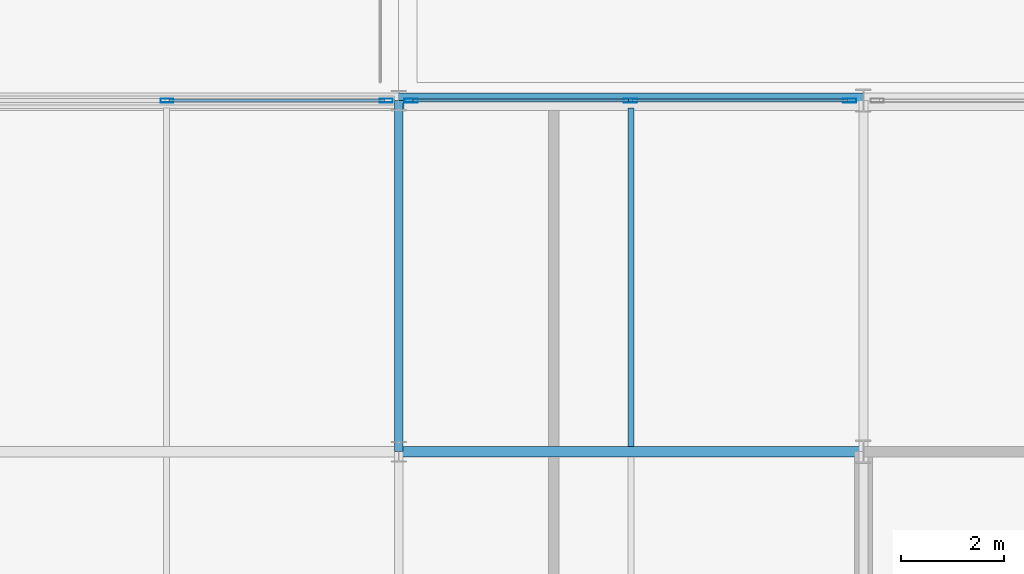
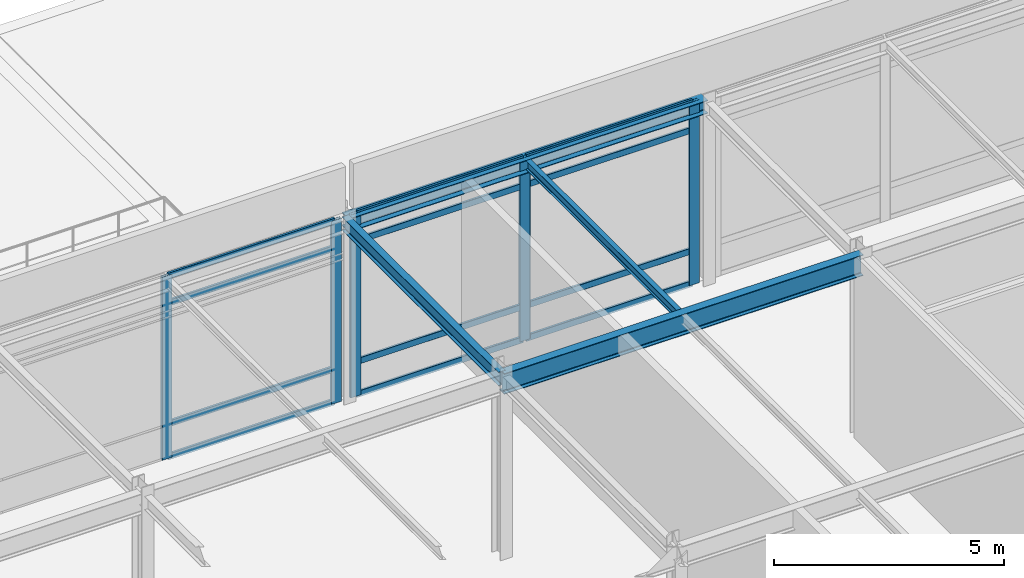
# One storey, part 71 of 113: 17 members, 4 beams, 2 elements without a shape of their own.
"""IFC4 building model written with IfcOpenShell, lengths in metres."""

from ifc_helpers import new_model, si_unit, direction, frame, origin, origin_2d, place, context, subcontext, project, spatial, hollow_rectangle, i_section, extrude, material, layer, layer_set, material_profile, profile_set, type_object, element, aggregate, save


model = new_model("IFC4")

# Units and contexts
model_context = context("Model", 3, precision=1e-05, world=origin(), true_north=direction((0.0, 1.0)))
body_context = subcontext(model_context, "Body", "Model", "MODEL_VIEW")
ifc_project = project(units=[si_unit("LENGTHUNIT", "METRE"), si_unit("AREAUNIT", "SQUARE_METRE"), si_unit("VOLUMEUNIT", "CUBIC_METRE"), si_unit("PLANEANGLEUNIT", "RADIAN"), si_unit("MASSUNIT", "GRAM", prefix="KILO")], contexts=[model_context])

# Site, building, storey
site_placement = place(None, origin())
site = spatial("IfcSite", under=ifc_project, at=site_placement, CompositionType="ELEMENT")
building_placement = place(site_placement, origin())
building = spatial("IfcBuilding", under=site, at=building_placement, Name="Shalkamar Park Central Library", CompositionType="ELEMENT")
storey_placement = place(building_placement, frame((0.0, 0.0, 5.39990234375)))
storey = spatial("IfcBuildingStorey", under=building, at=storey_placement, Name="L02", CompositionType="ELEMENT", Elevation=5.39990234375)

# Beam
ifc_material_1 = material(Name="Steel S355", Category="steel")
ifc_material_profile_1 = material_profile(ifc_material_1, i_section(OverallWidth=0.1201171875, OverallDepth=0.239990234375, WebThickness=0.006103515625, FlangeThickness=0.009765625, FilletRadius=0.014892578125, at=origin_2d()), Name="IPE 240")
ifc_profile_set_1 = profile_set([ifc_material_profile_1], Name="Steel S355")
beam_type_1 = type_object("IfcBeamType", Name="Composite Floor Joist IPE240", PredefinedType="JOIST", material=ifc_profile_set_1)
beam_1_placement = place(storey_placement, frame((259.5, 331.302978515625, 4.72998046875), z_axis=(0.0, 1.0, 0.0), x_axis=(-1.0, 0.0, 0.0)))
element("IfcBeam", 1, at=beam_1_placement, inside=storey, type_object=beam_type_1, Name="Composite Joist 18/N-1 (L02)", PredefinedType="JOIST", context=body_context, shape_type="SweptSolid", body=[
    extrude(i_section(OverallWidth=0.1201171875, OverallDepth=0.239990234375, WebThickness=0.006103515625, FlangeThickness=0.009765625, FilletRadius=0.014892578125, at=origin_2d()), origin(), (0.0, 0.0, 1.0), 6.549072265625),
])

# Curtain wall, members
ifc_material_2 = material(Name="Thermally broken aluminium and triple low-e curtain wall", Category="aluminium")
ifc_layer_1 = layer(ifc_material_2, 0.25)
ifc_layer_set_1 = layer_set([ifc_layer_1], Name="UnitisedCurtainWall_33")
curtain_wall_type_1 = type_object("IfcCurtainWallType", Name="Unitised Curtain Wall 33", PredefinedType="USERDEFINED", material=ifc_layer_set_1)
curtain_wall_1_placement = place(storey_placement, origin())
curtain_wall_1 = element("IfcCurtainWall", 2, at=curtain_wall_1_placement, inside=storey, type_object=curtain_wall_type_1, Name="Unitised Curtain Wall CW-L02-037", ObjectType="UNITISED CURTAIN WALL", PredefinedType="USERDEFINED")
ifc_material_3 = material(Name="Aluminium 6060-T66", Category="aluminium")
ifc_material_profile_2 = material_profile(ifc_material_3, hollow_rectangle(XDim=0.074951171875, YDim=0.25, WallThickness=0.00390625, InnerFilletRadius=0.00390625, OuterFilletRadius=0.006103515625, at=origin_2d()), Name="ALU 75x250x4")
ifc_profile_set_2 = profile_set([ifc_material_profile_2], Name="Aluminium 6060-T66")
member_type_1 = type_object("IfcMemberType", Name="Curtain Wall Mullion ALU75x250", PredefinedType="MULLION", material=ifc_profile_set_2)
member_1_placement = place(storey_placement, frame((250.512451171875, 338.0, 0.0), z_axis=(0.0, 0.0, 1.0), x_axis=(0.0, 1.0, 0.0)))
member_1 = element("IfcMember", 3, at=member_1_placement, type_object=member_type_1, Name="CW-33 mullion 2", PredefinedType="MULLION", context=body_context, shape_type="SweptSolid", body=[
    extrude(hollow_rectangle(XDim=0.074951171875, YDim=0.25, WallThickness=0.00390625, InnerFilletRadius=0.00390625, OuterFilletRadius=0.006103515625, at=origin_2d()), origin(), (0.0, 0.0, 1.0), 4.85009765625),
])
member_2_placement = place(storey_placement, frame((254.758544921875, 338.0, 0.0), z_axis=(0.0, 0.0, 1.0), x_axis=(0.0, 1.0, 0.0)))
member_2 = element("IfcMember", 4, at=member_2_placement, type_object=member_type_1, Name="CW-33 mullion 3", PredefinedType="MULLION", context=body_context, shape_type="SweptSolid", body=[
    extrude(hollow_rectangle(XDim=0.074951171875, YDim=0.25, WallThickness=0.00390625, InnerFilletRadius=0.00390625, OuterFilletRadius=0.006103515625, at=origin_2d()), origin(), (0.0, 0.0, 1.0), 4.85009765625),
])

ifc_layer_2 = layer(ifc_material_2, 0.260009765625)
ifc_layer_set_2 = layer_set([ifc_layer_2], Name="UnitisedCurtainWall_34")
curtain_wall_type_2 = type_object("IfcCurtainWallType", Name="Unitised Curtain Wall 34", PredefinedType="USERDEFINED", material=ifc_layer_set_2)
curtain_wall_2_placement = place(storey_placement, origin())
curtain_wall_2 = element("IfcCurtainWall", 5, at=curtain_wall_2_placement, inside=storey, type_object=curtain_wall_type_2, Name="Unitised Curtain Wall CW-L02-038", ObjectType="UNITISED CURTAIN WALL", PredefinedType="USERDEFINED")
ifc_material_profile_3 = material_profile(ifc_material_3, hollow_rectangle(XDim=0.074951171875, YDim=0.260009765625, WallThickness=0.00439453125, InnerFilletRadius=0.00439453125, OuterFilletRadius=0.0068359375, at=origin_2d()), Name="ALU 75x260x4.5")
ifc_profile_set_3 = profile_set([ifc_material_profile_3], Name="Aluminium 6060-T66")
member_type_2 = type_object("IfcMemberType", Name="Curtain Wall Mullion ALU75x260", PredefinedType="MULLION", material=ifc_profile_set_3)
member_3_placement = place(storey_placement, frame((255.241455078125, 338.0, 0.0), z_axis=(0.0, 0.0, 1.0), x_axis=(0.0, 1.0, 0.0)))
member_3 = element("IfcMember", 6, at=member_3_placement, type_object=member_type_2, Name="CW-34 mullion 1", PredefinedType="MULLION", context=body_context, shape_type="SweptSolid", body=[
    extrude(hollow_rectangle(XDim=0.074951171875, YDim=0.260009765625, WallThickness=0.00439453125, InnerFilletRadius=0.00439453125, OuterFilletRadius=0.0068359375, at=origin_2d()), origin(), (0.0, 0.0, 1.0), 4.85009765625),
])
member_4_placement = place(storey_placement, frame((259.487548828125, 338.0, 0.0), z_axis=(0.0, 0.0, 1.0), x_axis=(0.0, 1.0, 0.0)))
member_4 = element("IfcMember", 7, at=member_4_placement, type_object=member_type_2, Name="CW-34 mullion 2", PredefinedType="MULLION", context=body_context, shape_type="SweptSolid", body=[
    extrude(hollow_rectangle(XDim=0.074951171875, YDim=0.260009765625, WallThickness=0.00439453125, InnerFilletRadius=0.00439453125, OuterFilletRadius=0.0068359375, at=origin_2d()), origin(), (0.0, 0.0, 1.0), 4.85009765625),
])
member_5_placement = place(storey_placement, frame((263.7333984375, 338.0, 0.0), z_axis=(0.0, 0.0, 1.0), x_axis=(0.0, 1.0, 0.0)))
member_5 = element("IfcMember", 8, at=member_5_placement, type_object=member_type_2, Name="CW-34 mullion 3", PredefinedType="MULLION", context=body_context, shape_type="SweptSolid", body=[
    extrude(hollow_rectangle(XDim=0.074951171875, YDim=0.260009765625, WallThickness=0.00439453125, InnerFilletRadius=0.00439453125, OuterFilletRadius=0.0068359375, at=origin_2d()), origin(), (0.0, 0.0, 1.0), 4.85009765625),
])

# Member
ifc_material_profile_4 = material_profile(ifc_material_3, hollow_rectangle(XDim=0.06005859375, YDim=0.159912109375, WallThickness=0.00390625, InnerFilletRadius=0.00390625, OuterFilletRadius=0.006103515625, at=origin_2d()), Name="ALU 60x160x4")
ifc_profile_set_4 = profile_set([ifc_material_profile_4], Name="Aluminium 6060-T66")
member_type_3 = type_object("IfcMemberType", Name="Curtain Wall Transom ALU60x160", PredefinedType="USERDEFINED", material=ifc_profile_set_4)
member_6_placement = place(storey_placement, frame((250.550048828125, 338.0, 0.030029296875), z_axis=(1.0, 0.0, 0.0), x_axis=(0.0, 1.0, 0.0)))
member_6 = element("IfcMember", 9, at=member_6_placement, type_object=member_type_3, Name="CW-33 transom 2.1", ObjectType="TRANSOM", PredefinedType="USERDEFINED", context=body_context, shape_type="SweptSolid", body=[
    extrude(hollow_rectangle(XDim=0.06005859375, YDim=0.159912109375, WallThickness=0.00390625, InnerFilletRadius=0.00390625, OuterFilletRadius=0.006103515625, at=origin_2d()), origin(), (0.0, 0.0, 1.0), 4.1708984375),
])

member_7_placement = place(storey_placement, frame((250.550048828125, 338.0, 0.900146484375), z_axis=(1.0, 0.0, 0.0), x_axis=(0.0, 1.0, 0.0)))
member_7 = element("IfcMember", 10, at=member_7_placement, type_object=member_type_3, Name="CW-33 transom 2.2", ObjectType="TRANSOM", PredefinedType="USERDEFINED", context=body_context, shape_type="SweptSolid", body=[
    extrude(hollow_rectangle(XDim=0.06005859375, YDim=0.159912109375, WallThickness=0.00390625, InnerFilletRadius=0.00390625, OuterFilletRadius=0.006103515625, at=origin_2d()), origin(), (0.0, 0.0, 1.0), 4.1708984375),
])

member_8_placement = place(storey_placement, frame((250.550048828125, 338.0, 4.10009765625), z_axis=(1.0, 0.0, 0.0), x_axis=(0.0, 1.0, 0.0)))
member_8 = element("IfcMember", 11, at=member_8_placement, type_object=member_type_3, Name="CW-33 transom 2.3", ObjectType="TRANSOM", PredefinedType="USERDEFINED", context=body_context, shape_type="SweptSolid", body=[
    extrude(hollow_rectangle(XDim=0.06005859375, YDim=0.159912109375, WallThickness=0.00390625, InnerFilletRadius=0.00390625, OuterFilletRadius=0.006103515625, at=origin_2d()), origin(), (0.0, 0.0, 1.0), 4.1708984375),
])

member_9_placement = place(storey_placement, frame((250.550048828125, 338.0, 4.820068359375), z_axis=(1.0, 0.0, 0.0), x_axis=(0.0, 1.0, 0.0)))
member_9 = element("IfcMember", 12, at=member_9_placement, type_object=member_type_3, Name="CW-33 transom 2.4", ObjectType="TRANSOM", PredefinedType="USERDEFINED", context=body_context, shape_type="SweptSolid", body=[
    extrude(hollow_rectangle(XDim=0.06005859375, YDim=0.159912109375, WallThickness=0.00390625, InnerFilletRadius=0.00390625, OuterFilletRadius=0.006103515625, at=origin_2d()), origin(), (0.0, 0.0, 1.0), 4.1708984375),
])

aggregate(curtain_wall_1, [member_1, member_2, member_6, member_7, member_8, member_9])

ifc_material_profile_5 = material_profile(ifc_material_3, hollow_rectangle(XDim=0.06005859375, YDim=0.1650390625, WallThickness=0.00390625, InnerFilletRadius=0.00390625, OuterFilletRadius=0.006103515625, at=origin_2d()), Name="ALU 60x165x4")
ifc_profile_set_5 = profile_set([ifc_material_profile_5], Name="Aluminium 6060-T66")
member_type_4 = type_object("IfcMemberType", Name="Curtain Wall Transom ALU60x165", PredefinedType="USERDEFINED", material=ifc_profile_set_5)
member_10_placement = place(storey_placement, frame((255.279052734375, 338.0, 0.030029296875), z_axis=(1.0, 0.0, 0.0), x_axis=(0.0, 1.0, 0.0)))
member_10 = element("IfcMember", 13, at=member_10_placement, type_object=member_type_4, Name="CW-34 transom 1.1", ObjectType="TRANSOM", PredefinedType="USERDEFINED", context=body_context, shape_type="SweptSolid", body=[
    extrude(hollow_rectangle(XDim=0.06005859375, YDim=0.1650390625, WallThickness=0.00390625, InnerFilletRadius=0.00390625, OuterFilletRadius=0.006103515625, at=origin_2d()), origin(), (0.0, 0.0, 1.0), 4.1708984375),
])

member_11_placement = place(storey_placement, frame((255.279052734375, 338.0, 0.900146484375), z_axis=(1.0, 0.0, 0.0), x_axis=(0.0, 1.0, 0.0)))
member_11 = element("IfcMember", 14, at=member_11_placement, type_object=member_type_4, Name="CW-34 transom 1.2", ObjectType="TRANSOM", PredefinedType="USERDEFINED", context=body_context, shape_type="SweptSolid", body=[
    extrude(hollow_rectangle(XDim=0.06005859375, YDim=0.1650390625, WallThickness=0.00390625, InnerFilletRadius=0.00390625, OuterFilletRadius=0.006103515625, at=origin_2d()), origin(), (0.0, 0.0, 1.0), 4.1708984375),
])

member_12_placement = place(storey_placement, frame((255.279052734375, 338.0, 4.10009765625), z_axis=(1.0, 0.0, 0.0), x_axis=(0.0, 1.0, 0.0)))
member_12 = element("IfcMember", 15, at=member_12_placement, type_object=member_type_4, Name="CW-34 transom 1.3", ObjectType="TRANSOM", PredefinedType="USERDEFINED", context=body_context, shape_type="SweptSolid", body=[
    extrude(hollow_rectangle(XDim=0.06005859375, YDim=0.1650390625, WallThickness=0.00390625, InnerFilletRadius=0.00390625, OuterFilletRadius=0.006103515625, at=origin_2d()), origin(), (0.0, 0.0, 1.0), 4.1708984375),
])

member_13_placement = place(storey_placement, frame((255.279052734375, 338.0, 4.820068359375), z_axis=(1.0, 0.0, 0.0), x_axis=(0.0, 1.0, 0.0)))
member_13 = element("IfcMember", 16, at=member_13_placement, type_object=member_type_4, Name="CW-34 transom 1.4", ObjectType="TRANSOM", PredefinedType="USERDEFINED", context=body_context, shape_type="SweptSolid", body=[
    extrude(hollow_rectangle(XDim=0.06005859375, YDim=0.1650390625, WallThickness=0.00390625, InnerFilletRadius=0.00390625, OuterFilletRadius=0.006103515625, at=origin_2d()), origin(), (0.0, 0.0, 1.0), 4.1708984375),
])

member_14_placement = place(storey_placement, frame((259.52490234375, 338.0, 0.030029296875), z_axis=(1.0, 0.0, 0.0), x_axis=(0.0, 1.0, 0.0)))
member_14 = element("IfcMember", 17, at=member_14_placement, type_object=member_type_4, Name="CW-34 transom 2.1", ObjectType="TRANSOM", PredefinedType="USERDEFINED", context=body_context, shape_type="SweptSolid", body=[
    extrude(hollow_rectangle(XDim=0.06005859375, YDim=0.1650390625, WallThickness=0.00390625, InnerFilletRadius=0.00390625, OuterFilletRadius=0.006103515625, at=origin_2d()), origin(), (0.0, 0.0, 1.0), 4.171142578125),
])

member_15_placement = place(storey_placement, frame((259.52490234375, 338.0, 0.900146484375), z_axis=(1.0, 0.0, 0.0), x_axis=(0.0, 1.0, 0.0)))
member_15 = element("IfcMember", 18, at=member_15_placement, type_object=member_type_4, Name="CW-34 transom 2.2", ObjectType="TRANSOM", PredefinedType="USERDEFINED", context=body_context, shape_type="SweptSolid", body=[
    extrude(hollow_rectangle(XDim=0.06005859375, YDim=0.1650390625, WallThickness=0.00390625, InnerFilletRadius=0.00390625, OuterFilletRadius=0.006103515625, at=origin_2d()), origin(), (0.0, 0.0, 1.0), 4.171142578125),
])

member_16_placement = place(storey_placement, frame((259.52490234375, 338.0, 4.10009765625), z_axis=(1.0, 0.0, 0.0), x_axis=(0.0, 1.0, 0.0)))
member_16 = element("IfcMember", 19, at=member_16_placement, type_object=member_type_4, Name="CW-34 transom 2.3", ObjectType="TRANSOM", PredefinedType="USERDEFINED", context=body_context, shape_type="SweptSolid", body=[
    extrude(hollow_rectangle(XDim=0.06005859375, YDim=0.1650390625, WallThickness=0.00390625, InnerFilletRadius=0.00390625, OuterFilletRadius=0.006103515625, at=origin_2d()), origin(), (0.0, 0.0, 1.0), 4.171142578125),
])

member_17_placement = place(storey_placement, frame((259.52490234375, 338.0, 4.820068359375), z_axis=(1.0, 0.0, 0.0), x_axis=(0.0, 1.0, 0.0)))
member_17 = element("IfcMember", 20, at=member_17_placement, type_object=member_type_4, Name="CW-34 transom 2.4", ObjectType="TRANSOM", PredefinedType="USERDEFINED", context=body_context, shape_type="SweptSolid", body=[
    extrude(hollow_rectangle(XDim=0.06005859375, YDim=0.1650390625, WallThickness=0.00390625, InnerFilletRadius=0.00390625, OuterFilletRadius=0.006103515625, at=origin_2d()), origin(), (0.0, 0.0, 1.0), 4.171142578125),
])

aggregate(curtain_wall_2, [member_3, member_4, member_5, member_10, member_11, member_12, member_13, member_14, member_15, member_16, member_17])

# Beams
ifc_material_profile_6 = material_profile(ifc_material_1, i_section(OverallWidth=0.300048828125, OverallDepth=0.35009765625, WebThickness=0.010009765625, FlangeThickness=0.017578125, FilletRadius=0.027099609375, at=origin_2d()), Name="HEA 360")
ifc_profile_set_6 = profile_set([ifc_material_profile_6], Name="Steel S355")
beam_type_2 = type_object("IfcBeamType", Name="Perimeter Spandrel Beam HEA360", PredefinedType="SPANDREL", material=ifc_profile_set_6)
beam_2_placement = place(storey_placement, frame((255.0, 338.0, 4.675048828125), z_axis=(1.0, 0.0, 0.0), x_axis=(0.0, 1.0, 0.0)))
element("IfcBeam", 21, at=beam_2_placement, inside=storey, type_object=beam_type_2, Name="Beam P:18-19 (L02)", PredefinedType="SPANDREL", context=body_context, shape_type="SweptSolid", body=[
    extrude(i_section(OverallWidth=0.300048828125, OverallDepth=0.35009765625, WebThickness=0.010009765625, FlangeThickness=0.017578125, FilletRadius=0.027099609375, at=origin_2d()), origin(), (0.0, 0.0, 1.0), 9.0),
])
ifc_material_profile_7 = material_profile(ifc_material_1, i_section(OverallWidth=0.169921875, OverallDepth=0.360107421875, WebThickness=0.008056640625, FlangeThickness=0.0126953125, FilletRadius=0.01806640625, at=origin_2d()), Name="IPE 360")
ifc_profile_set_7 = profile_set([ifc_material_profile_7], Name="Steel S355")
beam_type_3 = type_object("IfcBeamType", Name="Primary Girder IPE360", PredefinedType="BEAM", material=ifc_profile_set_7)
beam_3_placement = place(storey_placement, frame((255.0, 331.199951171875, 4.670166015625), z_axis=(0.0, 1.0, 0.0), x_axis=(-1.0, 0.0, 0.0)))
element("IfcBeam", 22, at=beam_3_placement, inside=storey, type_object=beam_type_3, Name="Beam 18:N-P (L02)", PredefinedType="BEAM", context=body_context, shape_type="SweptSolid", body=[
    extrude(i_section(OverallWidth=0.169921875, OverallDepth=0.360107421875, WebThickness=0.008056640625, FlangeThickness=0.0126953125, FilletRadius=0.01806640625, at=origin_2d()), origin(), (0.0, 0.0, 1.0), 6.800048828125),
])
ifc_material_profile_8 = material_profile(ifc_material_1, i_section(OverallWidth=0.2099609375, OverallDepth=0.550048828125, WebThickness=0.010986328125, FlangeThickness=0.01708984375, FilletRadius=0.02392578125, at=origin_2d()), Name="IPE 550")
ifc_profile_set_8 = profile_set([ifc_material_profile_8], Name="Steel S355")
beam_type_4 = type_object("IfcBeamType", Name="Primary Girder IPE550", PredefinedType="BEAM", material=ifc_profile_set_8)
beam_4_placement = place(storey_placement, frame((255.0, 331.199951171875, 4.5751953125), z_axis=(1.0, 0.0, 0.0), x_axis=(0.0, 1.0, 0.0)))
element("IfcBeam", 23, at=beam_4_placement, inside=storey, type_object=beam_type_4, Name="Beam N:18-19 (L02)", PredefinedType="BEAM", context=body_context, shape_type="SweptSolid", body=[
    extrude(i_section(OverallWidth=0.2099609375, OverallDepth=0.550048828125, WebThickness=0.010986328125, FlangeThickness=0.01708984375, FilletRadius=0.02392578125, at=origin_2d()), origin(), (0.0, 0.0, 1.0), 9.0),
])

save(model, "model.ifc")
